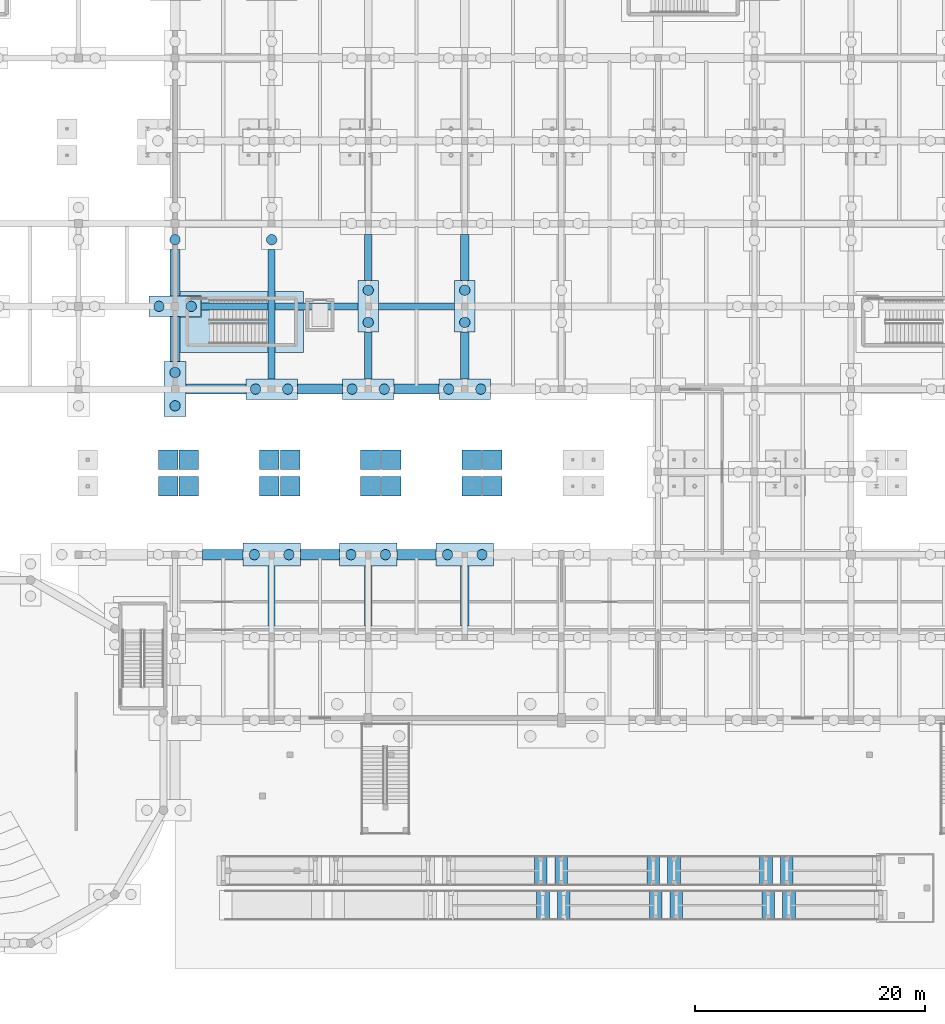
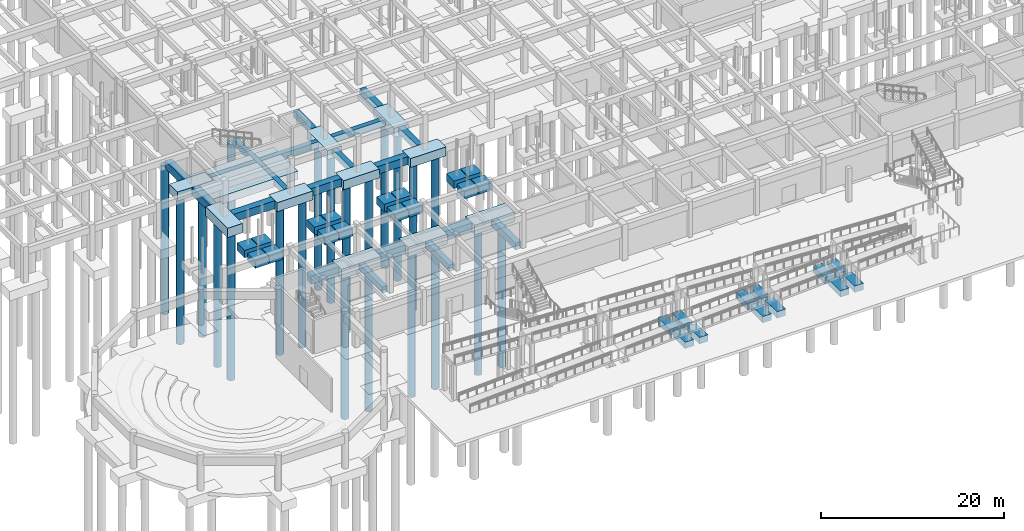
# One storey, part 2 of 80: 57 footings, 22 piles.
"""IFC4 building model written with IfcOpenShell, lengths in metres."""

from ifc_helpers import new_model, si_unit, direction, frame, origin, origin_2d, place, context, subcontext, project, spatial, polyline, rectangle, circle, outline, extrude, material, material_profile, profile_set, type_object, element, save


model = new_model("IFC4")

# Units and contexts
model_context = context("Model", 3, precision=1e-05, world=origin(), true_north=direction((0.0, 1.0)))
body_context = subcontext(model_context, "Body", "Model", "MODEL_VIEW")
ifc_project = project(units=[si_unit("LENGTHUNIT", "METRE"), si_unit("AREAUNIT", "SQUARE_METRE"), si_unit("VOLUMEUNIT", "CUBIC_METRE"), si_unit("PLANEANGLEUNIT", "RADIAN"), si_unit("MASSUNIT", "GRAM", prefix="KILO")], contexts=[model_context])

# Site, building, storey
site_placement = place(None, origin())
site = spatial("IfcSite", under=ifc_project, at=site_placement, CompositionType="ELEMENT")
building_placement = place(site_placement, origin())
building = spatial("IfcBuilding", under=site, at=building_placement, Name="Malvenik Polytechnic", CompositionType="ELEMENT")
storey_placement = place(building_placement, frame((0.0, 0.0, -4.800048828125)))
storey = spatial("IfcBuildingStorey", under=building, at=storey_placement, Name="B1", CompositionType="ELEMENT", Elevation=-4.800048828125)

# Footings
ifc_material = material(Name="Concrete C35/45", Category="concrete")
footing_type_1 = type_object("IfcFootingType", Name="STR-PC-1800x4500x1200", PredefinedType="PILE_CAP", material=ifc_material)
for number, where, z_axis, x_axis, name in (
    (1, (33.60009765625, 57.60009765625, -1.19970703125), (0.0, 0.0, 1.0), (1.0, 0.0, 0.0), "Pile Cap PC-01 #48"),
    (2, (42.0, 50.39990234375, -1.19970703125), (0.0, 0.0, 1.0), (1.0, 0.0, 0.0), "Pile Cap PC-01 #60"),
    (3, (50.39990234375, 50.39990234375, -1.19970703125), (0.0, 0.0, 1.0), (1.0, 0.0, 0.0), "Pile Cap PC-01 #72"),
    (4, (58.800048828125, 50.39990234375, -1.19970703125), (0.0, 0.0, 1.0), (1.0, 0.0, 0.0), "Pile Cap PC-01 #84"),
):
    element("IfcFooting", number, at=place(storey_placement, frame(where, z_axis=z_axis, x_axis=x_axis)), inside=storey, type_object=footing_type_1, Name=name, PredefinedType="PILE_CAP", context=body_context, shape_type="SweptSolid", body=[
        extrude(rectangle(XDim=4.5, YDim=1.800048828125, at=origin_2d()), origin(), (0.0, 0.0, 1.0), 1.199951171875),
    ])
footing_type_2 = type_object("IfcFootingType", Name="STR-PC-2000x5000x1300", PredefinedType="PILE_CAP", material=ifc_material)
for number, where, z_axis, x_axis, name in (
    (5, (42.0, 36.0, -1.2998046875), (0.0, 0.0, 1.0), (1.0, 0.0, 0.0), "Pile Cap PC-03 #59"),
    (6, (50.39990234375, 36.0, -1.2998046875), (0.0, 0.0, 1.0), (1.0, 0.0, 0.0), "Pile Cap PC-03 #71"),
    (7, (58.800048828125, 36.0, -1.2998046875), (0.0, 0.0, 1.0), (1.0, 0.0, 0.0), "Pile Cap PC-03 #83"),
):
    element("IfcFooting", number, at=place(storey_placement, frame(where, z_axis=z_axis, x_axis=x_axis)), inside=storey, type_object=footing_type_2, Name=name, PredefinedType="PILE_CAP", context=body_context, shape_type="SweptSolid", body=[
        extrude(rectangle(XDim=5.0, YDim=2.0, at=origin_2d()), origin(), (0.0, 0.0, 1.0), 1.300048828125),
    ])
footing_type_3 = type_object("IfcFootingType", Name="STR-PC-4500x1800x1200", PredefinedType="PILE_CAP", material=ifc_material)
for number, where, z_axis, x_axis, name in (
    (8, (50.39990234375, 57.60009765625, -1.19970703125), (0.0, 0.0, 1.0), (1.0, 0.0, 0.0), "Pile Cap PC-02 #73"),
    (9, (58.800048828125, 57.60009765625, -1.19970703125), (0.0, 0.0, 1.0), (1.0, 0.0, 0.0), "Pile Cap PC-02 #85"),
):
    element("IfcFooting", number, at=place(storey_placement, frame(where, z_axis=z_axis, x_axis=x_axis)), inside=storey, type_object=footing_type_3, Name=name, PredefinedType="PILE_CAP", context=body_context, shape_type="SweptSolid", body=[
        extrude(rectangle(XDim=1.800048828125, YDim=4.5, at=origin_2d()), origin(), (0.0, 0.0, 1.0), 1.199951171875),
    ])
footing_type_4 = type_object("IfcFootingType", Name="STR-PC-4800x1900x1250", PredefinedType="PILE_CAP", material=ifc_material)
footing_1_placement = place(storey_placement, frame((33.60009765625, 50.39990234375, -1.25), z_axis=(0.0, 0.0, 1.0), x_axis=(1.0, 0.0, 0.0)))
element("IfcFooting", 10, at=footing_1_placement, inside=storey, type_object=footing_type_4, Name="Pile Cap PC-14 #47", PredefinedType="PILE_CAP", context=body_context, shape_type="SweptSolid", body=[
    extrude(rectangle(XDim=1.89990234375, YDim=4.800048828125, at=origin_2d()), origin(), (0.0, 0.0, 1.0), 1.25),
])

# Piles
ifc_material_profile_1 = material_profile(ifc_material, circle(Radius=0.449951171875, at=origin_2d()), Name="BORED PILE D900")
ifc_profile_set_1 = profile_set([ifc_material_profile_1], Name="Concrete C35/45")
pile_type_1 = type_object("IfcPileType", Name="STR-PL-D900-195", PredefinedType="BORED", material=ifc_profile_set_1)
for number, where, z_axis, x_axis, name in (
    (11, (40.5, 36.0, -1.199951171875), (0.0, 0.0, -1.0), (1.0, 0.0, 0.0), "Bored Pile PL-01 #135"),
    (12, (43.5, 36.0, -1.199951171875), (0.0, 0.0, -1.0), (1.0, 0.0, 0.0), "Bored Pile PL-01 #136"),
    (13, (48.89990234375, 36.0, -1.199951171875), (0.0, 0.0, -1.0), (1.0, 0.0, 0.0), "Bored Pile PL-01 #165"),
    (14, (51.89990234375, 36.0, -1.199951171875), (0.0, 0.0, -1.0), (1.0, 0.0, 0.0), "Bored Pile PL-01 #166"),
    (15, (57.300048828125, 36.0, -1.199951171875), (0.0, 0.0, -1.0), (1.0, 0.0, 0.0), "Bored Pile PL-01 #193"),
    (16, (60.300048828125, 36.0, -1.199951171875), (0.0, 0.0, -1.0), (1.0, 0.0, 0.0), "Bored Pile PL-01 #194"),
):
    element("IfcPile", number, at=place(storey_placement, frame(where, z_axis=z_axis, x_axis=x_axis)), inside=storey, type_object=pile_type_1, Name=name, PredefinedType="BORED", context=body_context, shape_type="SweptSolid", body=[
        extrude(circle(Radius=0.449951171875, at=origin_2d()), origin(), (0.0, 0.0, 1.0), 19.5),
    ])
ifc_material_profile_2 = material_profile(ifc_material, circle(Radius=0.449951171875, at=origin_2d()), Name="BORED PILE D900")
ifc_profile_set_2 = profile_set([ifc_material_profile_2], Name="Concrete C35/45")
pile_type_2 = type_object("IfcPileType", Name="STR-PL-D900-198", PredefinedType="BORED", material=ifc_profile_set_2)
for number, where, z_axis, x_axis, name in (
    (17, (33.60009765625, 48.949951171875, -1.14990234375), (0.0, 0.0, -1.0), (1.0, 0.0, 0.0), "Bored Pile PL-02 #107"),
    (18, (33.60009765625, 51.85009765625, -1.14990234375), (0.0, 0.0, -1.0), (1.0, 0.0, 0.0), "Bored Pile PL-02 #108"),
    (19, (32.199951171875, 57.60009765625, -1.099853515625), (0.0, 0.0, -1.0), (1.0, 0.0, 0.0), "Bored Pile PL-02 #109"),
    (20, (35.0, 57.60009765625, -1.099853515625), (0.0, 0.0, -1.0), (1.0, 0.0, 0.0), "Bored Pile PL-02 #110"),
    (21, (33.60009765625, 63.39990234375, -1.099853515625), (0.0, 0.0, -1.0), (1.0, 0.0, 0.0), "Bored Pile PL-02 #111"),
    (22, (40.60009765625, 50.39990234375, -1.099853515625), (0.0, 0.0, -1.0), (1.0, 0.0, 0.0), "Bored Pile PL-02 #137"),
    (23, (43.39990234375, 50.39990234375, -1.099853515625), (0.0, 0.0, -1.0), (1.0, 0.0, 0.0), "Bored Pile PL-02 #138"),
    (24, (42.0, 63.39990234375, -1.099853515625), (0.0, 0.0, -1.0), (1.0, 0.0, 0.0), "Bored Pile PL-02 #139"),
    (25, (49.0, 50.39990234375, -1.099853515625), (0.0, 0.0, -1.0), (1.0, 0.0, 0.0), "Bored Pile PL-02 #167"),
    (26, (51.800048828125, 50.39990234375, -1.099853515625), (0.0, 0.0, -1.0), (1.0, 0.0, 0.0), "Bored Pile PL-02 #168"),
    (27, (50.39990234375, 56.199951171875, -1.099853515625), (0.0, 0.0, -1.0), (1.0, 0.0, 0.0), "Bored Pile PL-02 #169"),
    (28, (50.39990234375, 59.0, -1.099853515625), (0.0, 0.0, -1.0), (1.0, 0.0, 0.0), "Bored Pile PL-02 #170"),
    (29, (57.39990234375, 50.39990234375, -1.099853515625), (0.0, 0.0, -1.0), (1.0, 0.0, 0.0), "Bored Pile PL-02 #195"),
    (30, (60.199951171875, 50.39990234375, -1.099853515625), (0.0, 0.0, -1.0), (1.0, 0.0, 0.0), "Bored Pile PL-02 #196"),
    (31, (58.800048828125, 56.199951171875, -1.099853515625), (0.0, 0.0, -1.0), (1.0, 0.0, 0.0), "Bored Pile PL-02 #197"),
    (32, (58.800048828125, 59.0, -1.099853515625), (0.0, 0.0, -1.0), (1.0, 0.0, 0.0), "Bored Pile PL-02 #198"),
):
    element("IfcPile", number, at=place(storey_placement, frame(where, z_axis=z_axis, x_axis=x_axis)), inside=storey, type_object=pile_type_2, Name=name, PredefinedType="BORED", context=body_context, shape_type="SweptSolid", body=[
        extrude(circle(Radius=0.449951171875, at=origin_2d()), origin(), (0.0, 0.0, 1.0), 19.800048828125),
    ])

# Footings
footing_type_5 = type_object("IfcFootingType", Name="STR-SF-600x800", PredefinedType="STRIP_FOOTING", material=ifc_material)
footing_2_placement = place(storey_placement, frame((0.0, 0.0, -0.800048828125)))
element("IfcFooting", 33, at=footing_2_placement, inside=storey, type_object=footing_type_5, Name="Ground Tie Beam SF-01 #60", PredefinedType="STRIP_FOOTING", context=body_context, shape_type="SweptSolid", body=[
    extrude(outline(polyline([(35.85009765625, 57.300048828125), (49.5, 57.300048828125), (49.5, 57.89990234375), (35.85009765625, 57.89990234375), (35.85009765625, 57.300048828125)])), origin(), (0.0, 0.0, 1.0), 0.800048828125),
])
footing_3_placement = place(storey_placement, frame((0.0, 0.0, -0.800048828125)))
element("IfcFooting", 34, at=footing_3_placement, inside=storey, type_object=footing_type_5, Name="Ground Tie Beam SF-01 #61", PredefinedType="STRIP_FOOTING", context=body_context, shape_type="SweptSolid", body=[
    extrude(outline(polyline([(51.300048828125, 57.300048828125), (57.89990234375, 57.300048828125), (57.89990234375, 57.89990234375), (51.300048828125, 57.89990234375), (51.300048828125, 57.300048828125)])), origin(), (0.0, 0.0, 1.0), 0.800048828125),
])
footing_4_placement = place(storey_placement, frame((0.0, 0.0, -0.800048828125)))
element("IfcFooting", 35, at=footing_4_placement, inside=storey, type_object=footing_type_5, Name="Ground Tie Beam SF-01 #194", PredefinedType="STRIP_FOOTING", context=body_context, shape_type="SweptSolid", body=[
    extrude(outline(polyline([(41.699951171875, 29.800048828125), (42.300048828125, 29.800048828125), (42.300048828125, 35.0), (41.699951171875, 35.0), (41.699951171875, 29.800048828125)])), origin(), (0.0, 0.0, 1.0), 0.800048828125),
])
footing_5_placement = place(storey_placement, frame((0.0, 0.0, -0.800048828125)))
element("IfcFooting", 36, at=footing_5_placement, inside=storey, type_object=footing_type_5, Name="Ground Tie Beam SF-01 #195", PredefinedType="STRIP_FOOTING", context=body_context, shape_type="SweptSolid", body=[
    extrude(outline(polyline([(41.699951171875, 51.300048828125), (42.300048828125, 51.300048828125), (42.300048828125, 62.550048828125), (41.699951171875, 62.550048828125), (41.699951171875, 51.300048828125)])), origin(), (0.0, 0.0, 1.0), 0.800048828125),
])
footing_type_6 = type_object("IfcFootingType", Name="STR-SF-650x850", PredefinedType="STRIP_FOOTING", material=ifc_material)
footing_6_placement = place(storey_placement, frame((0.0, 0.0, -0.849853515625)))
element("IfcFooting", 37, at=footing_6_placement, inside=storey, type_object=footing_type_6, Name="Ground Tie Beam SF-02 #203", PredefinedType="STRIP_FOOTING", context=body_context, shape_type="SweptSolid", body=[
    extrude(outline(polyline([(50.074951171875, 29.800048828125), (50.72509765625, 29.800048828125), (50.72509765625, 35.0), (50.074951171875, 35.0), (50.074951171875, 29.800048828125)])), origin(), (0.0, 0.0, 1.0), 0.849853515625),
])
footing_7_placement = place(storey_placement, frame((0.0, 0.0, -0.849853515625)))
element("IfcFooting", 38, at=footing_7_placement, inside=storey, type_object=footing_type_6, Name="Ground Tie Beam SF-02 #204", PredefinedType="STRIP_FOOTING", context=body_context, shape_type="SweptSolid", body=[
    extrude(outline(polyline([(50.074951171875, 51.300048828125), (50.72509765625, 51.300048828125), (50.72509765625, 55.35009765625), (50.074951171875, 55.35009765625), (50.074951171875, 51.300048828125)])), origin(), (0.0, 0.0, 1.0), 0.849853515625),
])
footing_8_placement = place(storey_placement, frame((0.0, 0.0, -0.849853515625)))
element("IfcFooting", 39, at=footing_8_placement, inside=storey, type_object=footing_type_6, Name="Ground Tie Beam SF-02 #205", PredefinedType="STRIP_FOOTING", context=body_context, shape_type="SweptSolid", body=[
    extrude(outline(polyline([(50.074951171875, 59.85009765625), (50.72509765625, 59.85009765625), (50.72509765625, 63.85009765625), (50.074951171875, 63.85009765625), (50.074951171875, 59.85009765625)])), origin(), (0.0, 0.0, 1.0), 0.849853515625),
])
footing_type_7 = type_object("IfcFootingType", Name="STR-SF-700x900", PredefinedType="STRIP_FOOTING", material=ifc_material)
footing_9_placement = place(storey_placement, frame((0.0, 0.0, -0.89990234375)))
element("IfcFooting", 40, at=footing_9_placement, inside=storey, type_object=footing_type_7, Name="Ground Tie Beam SF-03 #212", PredefinedType="STRIP_FOOTING", context=body_context, shape_type="SweptSolid", body=[
    extrude(outline(polyline([(58.449951171875, 29.800048828125), (59.14990234375, 29.800048828125), (59.14990234375, 35.0), (58.449951171875, 35.0), (58.449951171875, 29.800048828125)])), origin(), (0.0, 0.0, 1.0), 0.89990234375),
])
footing_10_placement = place(storey_placement, frame((0.0, 0.0, -0.89990234375)))
element("IfcFooting", 41, at=footing_10_placement, inside=storey, type_object=footing_type_7, Name="Ground Tie Beam SF-03 #213", PredefinedType="STRIP_FOOTING", context=body_context, shape_type="SweptSolid", body=[
    extrude(outline(polyline([(58.449951171875, 51.300048828125), (59.14990234375, 51.300048828125), (59.14990234375, 55.35009765625), (58.449951171875, 55.35009765625), (58.449951171875, 51.300048828125)])), origin(), (0.0, 0.0, 1.0), 0.89990234375),
])
footing_11_placement = place(storey_placement, frame((0.0, 0.0, -0.89990234375)))
element("IfcFooting", 42, at=footing_11_placement, inside=storey, type_object=footing_type_7, Name="Ground Tie Beam SF-03 #214", PredefinedType="STRIP_FOOTING", context=body_context, shape_type="SweptSolid", body=[
    extrude(outline(polyline([(58.449951171875, 59.85009765625), (59.14990234375, 59.85009765625), (59.14990234375, 63.85009765625), (58.449951171875, 63.85009765625), (58.449951171875, 59.85009765625)])), origin(), (0.0, 0.0, 1.0), 0.89990234375),
])
footing_type_8 = type_object("IfcFootingType", Name="STR-SF-800x1000", PredefinedType="STRIP_FOOTING", material=ifc_material)
footing_12_placement = place(storey_placement, frame((0.0, 0.0, -1.0)))
element("IfcFooting", 43, at=footing_12_placement, inside=storey, type_object=footing_type_8, Name="Bridge-Ramp Pier Footing #3.1", PredefinedType="STRIP_FOOTING", context=body_context, shape_type="SweptSolid", body=[
    extrude(outline(polyline([(32.14990234375, 41.10009765625), (32.14990234375, 42.800048828125), (33.85009765625, 42.800048828125), (33.85009765625, 41.10009765625), (32.14990234375, 41.10009765625)])), origin(), (0.0, 0.0, 1.0), 1.0),
])
footing_13_placement = place(storey_placement, frame((0.0, 0.0, -1.0)))
element("IfcFooting", 44, at=footing_13_placement, inside=storey, type_object=footing_type_8, Name="Bridge-Ramp Pier Footing #4.1", PredefinedType="STRIP_FOOTING", context=body_context, shape_type="SweptSolid", body=[
    extrude(outline(polyline([(32.14990234375, 43.39990234375), (32.14990234375, 45.10009765625), (33.85009765625, 45.10009765625), (33.85009765625, 43.39990234375), (32.14990234375, 43.39990234375)])), origin(), (0.0, 0.0, 1.0), 1.0),
])
footing_14_placement = place(storey_placement, frame((0.0, 0.0, -1.0)))
element("IfcFooting", 45, at=footing_14_placement, inside=storey, type_object=footing_type_8, Name="Bridge-Ramp Pier Footing #5.1", PredefinedType="STRIP_FOOTING", context=body_context, shape_type="SweptSolid", body=[
    extrude(outline(polyline([(33.949951171875, 41.10009765625), (33.949951171875, 42.800048828125), (35.64990234375, 42.800048828125), (35.64990234375, 41.10009765625), (33.949951171875, 41.10009765625)])), origin(), (0.0, 0.0, 1.0), 1.0),
])
footing_15_placement = place(storey_placement, frame((0.0, 0.0, -1.0)))
element("IfcFooting", 46, at=footing_15_placement, inside=storey, type_object=footing_type_8, Name="Bridge-Ramp Pier Footing #6.1", PredefinedType="STRIP_FOOTING", context=body_context, shape_type="SweptSolid", body=[
    extrude(outline(polyline([(33.949951171875, 43.39990234375), (33.949951171875, 45.10009765625), (35.64990234375, 45.10009765625), (35.64990234375, 43.39990234375), (33.949951171875, 43.39990234375)])), origin(), (0.0, 0.0, 1.0), 1.0),
])
footing_16_placement = place(storey_placement, frame((0.0, 0.0, -1.0)))
element("IfcFooting", 47, at=footing_16_placement, inside=storey, type_object=footing_type_8, Name="Bridge-Ramp Pier Footing #7.1", PredefinedType="STRIP_FOOTING", context=body_context, shape_type="SweptSolid", body=[
    extrude(outline(polyline([(40.949951171875, 41.10009765625), (40.949951171875, 42.800048828125), (42.64990234375, 42.800048828125), (42.64990234375, 41.10009765625), (40.949951171875, 41.10009765625)])), origin(), (0.0, 0.0, 1.0), 1.0),
])
footing_17_placement = place(storey_placement, frame((0.0, 0.0, -1.0)))
element("IfcFooting", 48, at=footing_17_placement, inside=storey, type_object=footing_type_8, Name="Bridge-Ramp Pier Footing #8.1", PredefinedType="STRIP_FOOTING", context=body_context, shape_type="SweptSolid", body=[
    extrude(outline(polyline([(40.949951171875, 43.39990234375), (40.949951171875, 45.10009765625), (42.64990234375, 45.10009765625), (42.64990234375, 43.39990234375), (40.949951171875, 43.39990234375)])), origin(), (0.0, 0.0, 1.0), 1.0),
])
footing_18_placement = place(storey_placement, frame((0.0, 0.0, -1.0)))
element("IfcFooting", 49, at=footing_18_placement, inside=storey, type_object=footing_type_8, Name="Bridge-Ramp Pier Footing #9.1", PredefinedType="STRIP_FOOTING", context=body_context, shape_type="SweptSolid", body=[
    extrude(outline(polyline([(42.75, 41.10009765625), (42.75, 42.800048828125), (44.449951171875, 42.800048828125), (44.449951171875, 41.10009765625), (42.75, 41.10009765625)])), origin(), (0.0, 0.0, 1.0), 1.0),
])
footing_19_placement = place(storey_placement, frame((0.0, 0.0, -1.0)))
element("IfcFooting", 50, at=footing_19_placement, inside=storey, type_object=footing_type_8, Name="Bridge-Ramp Pier Footing #10.1", PredefinedType="STRIP_FOOTING", context=body_context, shape_type="SweptSolid", body=[
    extrude(outline(polyline([(42.75, 43.39990234375), (42.75, 45.10009765625), (44.449951171875, 45.10009765625), (44.449951171875, 43.39990234375), (42.75, 43.39990234375)])), origin(), (0.0, 0.0, 1.0), 1.0),
])
footing_20_placement = place(storey_placement, frame((0.0, 0.0, -1.0)))
element("IfcFooting", 51, at=footing_20_placement, inside=storey, type_object=footing_type_8, Name="Bridge-Ramp Pier Footing #11.1", PredefinedType="STRIP_FOOTING", context=body_context, shape_type="SweptSolid", body=[
    extrude(outline(polyline([(49.75, 41.10009765625), (49.75, 42.800048828125), (51.449951171875, 42.800048828125), (51.449951171875, 41.10009765625), (49.75, 41.10009765625)])), origin(), (0.0, 0.0, 1.0), 1.0),
])
footing_21_placement = place(storey_placement, frame((0.0, 0.0, -1.0)))
element("IfcFooting", 52, at=footing_21_placement, inside=storey, type_object=footing_type_8, Name="Bridge-Ramp Pier Footing #12.1", PredefinedType="STRIP_FOOTING", context=body_context, shape_type="SweptSolid", body=[
    extrude(outline(polyline([(49.75, 43.39990234375), (49.75, 45.10009765625), (51.449951171875, 45.10009765625), (51.449951171875, 43.39990234375), (49.75, 43.39990234375)])), origin(), (0.0, 0.0, 1.0), 1.0),
])
footing_22_placement = place(storey_placement, frame((0.0, 0.0, -1.0)))
element("IfcFooting", 53, at=footing_22_placement, inside=storey, type_object=footing_type_8, Name="Bridge-Ramp Pier Footing #13.1", PredefinedType="STRIP_FOOTING", context=body_context, shape_type="SweptSolid", body=[
    extrude(outline(polyline([(51.550048828125, 41.10009765625), (51.550048828125, 42.800048828125), (53.25, 42.800048828125), (53.25, 41.10009765625), (51.550048828125, 41.10009765625)])), origin(), (0.0, 0.0, 1.0), 1.0),
])
footing_23_placement = place(storey_placement, frame((0.0, 0.0, -1.0)))
element("IfcFooting", 54, at=footing_23_placement, inside=storey, type_object=footing_type_8, Name="Bridge-Ramp Pier Footing #14.1", PredefinedType="STRIP_FOOTING", context=body_context, shape_type="SweptSolid", body=[
    extrude(outline(polyline([(51.550048828125, 43.39990234375), (51.550048828125, 45.10009765625), (53.25, 45.10009765625), (53.25, 43.39990234375), (51.550048828125, 43.39990234375)])), origin(), (0.0, 0.0, 1.0), 1.0),
])
footing_24_placement = place(storey_placement, frame((0.0, 0.0, -1.0)))
element("IfcFooting", 55, at=footing_24_placement, inside=storey, type_object=footing_type_8, Name="Bridge-Ramp Pier Footing #15.1", PredefinedType="STRIP_FOOTING", context=body_context, shape_type="SweptSolid", body=[
    extrude(outline(polyline([(58.550048828125, 41.10009765625), (58.550048828125, 42.800048828125), (60.25, 42.800048828125), (60.25, 41.10009765625), (58.550048828125, 41.10009765625)])), origin(), (0.0, 0.0, 1.0), 1.0),
])
footing_25_placement = place(storey_placement, frame((0.0, 0.0, -1.0)))
element("IfcFooting", 56, at=footing_25_placement, inside=storey, type_object=footing_type_8, Name="Bridge-Ramp Pier Footing #16.1", PredefinedType="STRIP_FOOTING", context=body_context, shape_type="SweptSolid", body=[
    extrude(outline(polyline([(58.550048828125, 43.39990234375), (58.550048828125, 45.10009765625), (60.25, 45.10009765625), (60.25, 43.39990234375), (58.550048828125, 43.39990234375)])), origin(), (0.0, 0.0, 1.0), 1.0),
])
footing_26_placement = place(storey_placement, frame((0.0, 0.0, -1.0)))
element("IfcFooting", 57, at=footing_26_placement, inside=storey, type_object=footing_type_8, Name="Bridge-Ramp Pier Footing #17.1", PredefinedType="STRIP_FOOTING", context=body_context, shape_type="SweptSolid", body=[
    extrude(outline(polyline([(60.35009765625, 41.10009765625), (60.35009765625, 42.800048828125), (62.050048828125, 42.800048828125), (62.050048828125, 41.10009765625), (60.35009765625, 41.10009765625)])), origin(), (0.0, 0.0, 1.0), 1.0),
])
footing_27_placement = place(storey_placement, frame((0.0, 0.0, -1.0)))
element("IfcFooting", 58, at=footing_27_placement, inside=storey, type_object=footing_type_8, Name="Bridge-Ramp Pier Footing #18.1", PredefinedType="STRIP_FOOTING", context=body_context, shape_type="SweptSolid", body=[
    extrude(outline(polyline([(60.35009765625, 43.39990234375), (60.35009765625, 45.10009765625), (62.050048828125, 45.10009765625), (62.050048828125, 43.39990234375), (60.35009765625, 43.39990234375)])), origin(), (0.0, 0.0, 1.0), 1.0),
])
footing_28_placement = place(storey_placement, frame((0.0, 0.0, -0.849853515625)))
element("IfcFooting", 59, at=footing_28_placement, inside=storey, type_object=footing_type_8, Name="Forecourt Ramp Pier Footing RB-04-5", PredefinedType="STRIP_FOOTING", context=body_context, shape_type="SweptSolid", body=[
    extrude(outline(polyline([(65.050048828125, 4.199951171875), (65.050048828125, 6.800048828125), (66.14990234375, 6.800048828125), (66.14990234375, 4.199951171875), (65.050048828125, 4.199951171875)])), origin(), (0.0, 0.0, 1.0), 0.849853515625),
])
footing_29_placement = place(storey_placement, frame((0.0, 0.0, -0.849853515625)))
element("IfcFooting", 60, at=footing_29_placement, inside=storey, type_object=footing_type_8, Name="Forecourt Ramp Pier Footing RB-04-6", PredefinedType="STRIP_FOOTING", context=body_context, shape_type="SweptSolid", body=[
    extrude(outline(polyline([(66.85009765625, 4.199951171875), (66.85009765625, 6.800048828125), (67.949951171875, 6.800048828125), (67.949951171875, 4.199951171875), (66.85009765625, 4.199951171875)])), origin(), (0.0, 0.0, 1.0), 0.849853515625),
])
footing_30_placement = place(storey_placement, frame((0.0, 0.0, -0.849853515625)))
element("IfcFooting", 61, at=footing_30_placement, inside=storey, type_object=footing_type_8, Name="Forecourt Ramp Pier Footing RB-04-7", PredefinedType="STRIP_FOOTING", context=body_context, shape_type="SweptSolid", body=[
    extrude(outline(polyline([(74.85009765625, 4.199951171875), (74.85009765625, 6.800048828125), (75.949951171875, 6.800048828125), (75.949951171875, 4.199951171875), (74.85009765625, 4.199951171875)])), origin(), (0.0, 0.0, 1.0), 0.849853515625),
])
footing_31_placement = place(storey_placement, frame((0.0, 0.0, -0.849853515625)))
element("IfcFooting", 62, at=footing_31_placement, inside=storey, type_object=footing_type_8, Name="Forecourt Ramp Pier Footing RB-04-8", PredefinedType="STRIP_FOOTING", context=body_context, shape_type="SweptSolid", body=[
    extrude(outline(polyline([(76.64990234375, 4.199951171875), (76.64990234375, 6.800048828125), (77.75, 6.800048828125), (77.75, 4.199951171875), (76.64990234375, 4.199951171875)])), origin(), (0.0, 0.0, 1.0), 0.849853515625),
])
footing_32_placement = place(storey_placement, frame((0.0, 0.0, -0.849853515625)))
element("IfcFooting", 63, at=footing_32_placement, inside=storey, type_object=footing_type_8, Name="Forecourt Ramp Pier Footing RB-04-9", PredefinedType="STRIP_FOOTING", context=body_context, shape_type="SweptSolid", body=[
    extrude(outline(polyline([(84.64990234375, 4.199951171875), (84.64990234375, 6.800048828125), (85.75, 6.800048828125), (85.75, 4.199951171875), (84.64990234375, 4.199951171875)])), origin(), (0.0, 0.0, 1.0), 0.849853515625),
])
footing_33_placement = place(storey_placement, frame((0.0, 0.0, -0.849853515625)))
element("IfcFooting", 64, at=footing_33_placement, inside=storey, type_object=footing_type_8, Name="Forecourt Ramp Pier Footing RB-04-10", PredefinedType="STRIP_FOOTING", context=body_context, shape_type="SweptSolid", body=[
    extrude(outline(polyline([(86.449951171875, 4.199951171875), (86.449951171875, 6.800048828125), (87.550048828125, 6.800048828125), (87.550048828125, 4.199951171875), (86.449951171875, 4.199951171875)])), origin(), (0.0, 0.0, 1.0), 0.849853515625),
])
footing_34_placement = place(storey_placement, frame((0.0, 0.0, -0.849853515625)))
element("IfcFooting", 65, at=footing_34_placement, inside=storey, type_object=footing_type_8, Name="Forecourt Ramp Pier Footing RB-05-1", PredefinedType="STRIP_FOOTING", context=body_context, shape_type="SweptSolid", body=[
    extrude(outline(polyline([(86.25, 7.199951171875), (86.25, 9.800048828125), (87.35009765625, 9.800048828125), (87.35009765625, 7.199951171875), (86.25, 7.199951171875)])), origin(), (0.0, 0.0, 1.0), 0.849853515625),
])
footing_35_placement = place(storey_placement, frame((0.0, 0.0, -0.849853515625)))
element("IfcFooting", 66, at=footing_35_placement, inside=storey, type_object=footing_type_8, Name="Forecourt Ramp Pier Footing RB-05-2", PredefinedType="STRIP_FOOTING", context=body_context, shape_type="SweptSolid", body=[
    extrude(outline(polyline([(84.449951171875, 7.199951171875), (84.449951171875, 9.800048828125), (85.550048828125, 9.800048828125), (85.550048828125, 7.199951171875), (84.449951171875, 7.199951171875)])), origin(), (0.0, 0.0, 1.0), 0.849853515625),
])
footing_36_placement = place(storey_placement, frame((0.0, 0.0, -0.849853515625)))
element("IfcFooting", 67, at=footing_36_placement, inside=storey, type_object=footing_type_8, Name="Forecourt Ramp Pier Footing RB-05-3", PredefinedType="STRIP_FOOTING", context=body_context, shape_type="SweptSolid", body=[
    extrude(outline(polyline([(76.449951171875, 7.199951171875), (76.449951171875, 9.800048828125), (77.550048828125, 9.800048828125), (77.550048828125, 7.199951171875), (76.449951171875, 7.199951171875)])), origin(), (0.0, 0.0, 1.0), 0.849853515625),
])
footing_37_placement = place(storey_placement, frame((0.0, 0.0, -0.849853515625)))
element("IfcFooting", 68, at=footing_37_placement, inside=storey, type_object=footing_type_8, Name="Forecourt Ramp Pier Footing RB-05-4", PredefinedType="STRIP_FOOTING", context=body_context, shape_type="SweptSolid", body=[
    extrude(outline(polyline([(74.64990234375, 7.199951171875), (74.64990234375, 9.800048828125), (75.75, 9.800048828125), (75.75, 7.199951171875), (74.64990234375, 7.199951171875)])), origin(), (0.0, 0.0, 1.0), 0.849853515625),
])
footing_38_placement = place(storey_placement, frame((0.0, 0.0, -0.849853515625)))
element("IfcFooting", 69, at=footing_38_placement, inside=storey, type_object=footing_type_8, Name="Forecourt Ramp Pier Footing RB-05-5", PredefinedType="STRIP_FOOTING", context=body_context, shape_type="SweptSolid", body=[
    extrude(outline(polyline([(66.64990234375, 7.199951171875), (66.64990234375, 9.800048828125), (67.75, 9.800048828125), (67.75, 7.199951171875), (66.64990234375, 7.199951171875)])), origin(), (0.0, 0.0, 1.0), 0.849853515625),
])
footing_39_placement = place(storey_placement, frame((0.0, 0.0, -0.849853515625)))
element("IfcFooting", 70, at=footing_39_placement, inside=storey, type_object=footing_type_8, Name="Forecourt Ramp Pier Footing RB-05-6", PredefinedType="STRIP_FOOTING", context=body_context, shape_type="SweptSolid", body=[
    extrude(outline(polyline([(64.85009765625, 7.199951171875), (64.85009765625, 9.800048828125), (65.949951171875, 9.800048828125), (65.949951171875, 7.199951171875), (64.85009765625, 7.199951171875)])), origin(), (0.0, 0.0, 1.0), 0.849853515625),
])
footing_type_9 = type_object("IfcFootingType", Name="STR-SF-850x1050", PredefinedType="STRIP_FOOTING", material=ifc_material)
footing_40_placement = place(storey_placement, frame((0.0, 0.0, -1.050048828125)))
element("IfcFooting", 71, at=footing_40_placement, inside=storey, type_object=footing_type_9, Name="Ground Tie Beam SF-08 #48", PredefinedType="STRIP_FOOTING", context=body_context, shape_type="SweptSolid", body=[
    extrude(outline(polyline([(34.550048828125, 49.97509765625), (39.75, 49.97509765625), (39.75, 50.824951171875), (34.550048828125, 50.824951171875), (34.550048828125, 49.97509765625)])), origin(), (0.0, 0.0, 1.0), 1.050048828125),
])
footing_41_placement = place(storey_placement, frame((0.0, 0.0, -1.050048828125)))
element("IfcFooting", 72, at=footing_41_placement, inside=storey, type_object=footing_type_9, Name="Ground Tie Beam SF-08 #49", PredefinedType="STRIP_FOOTING", context=body_context, shape_type="SweptSolid", body=[
    extrude(outline(polyline([(44.25, 49.97509765625), (48.14990234375, 49.97509765625), (48.14990234375, 50.824951171875), (44.25, 50.824951171875), (44.25, 49.97509765625)])), origin(), (0.0, 0.0, 1.0), 1.050048828125),
])
footing_42_placement = place(storey_placement, frame((0.0, 0.0, -1.050048828125)))
element("IfcFooting", 73, at=footing_42_placement, inside=storey, type_object=footing_type_9, Name="Ground Tie Beam SF-08 #50", PredefinedType="STRIP_FOOTING", context=body_context, shape_type="SweptSolid", body=[
    extrude(outline(polyline([(52.64990234375, 49.97509765625), (56.550048828125, 49.97509765625), (56.550048828125, 50.824951171875), (52.64990234375, 50.824951171875), (52.64990234375, 49.97509765625)])), origin(), (0.0, 0.0, 1.0), 1.050048828125),
])
footing_43_placement = place(storey_placement, frame((0.0, 0.0, -1.050048828125)))
element("IfcFooting", 74, at=footing_43_placement, inside=storey, type_object=footing_type_9, Name="Ground Tie Beam SF-08 #185", PredefinedType="STRIP_FOOTING", context=body_context, shape_type="SweptSolid", body=[
    extrude(outline(polyline([(33.175048828125, 52.800048828125), (34.02490234375, 52.800048828125), (34.02490234375, 56.699951171875), (33.175048828125, 56.699951171875), (33.175048828125, 52.800048828125)])), origin(), (0.0, 0.0, 1.0), 1.050048828125),
])
footing_44_placement = place(storey_placement, frame((0.0, 0.0, -1.050048828125)))
element("IfcFooting", 75, at=footing_44_placement, inside=storey, type_object=footing_type_9, Name="Ground Tie Beam SF-08 #186", PredefinedType="STRIP_FOOTING", context=body_context, shape_type="SweptSolid", body=[
    extrude(outline(polyline([(33.175048828125, 58.5), (34.02490234375, 58.5), (34.02490234375, 62.550048828125), (33.175048828125, 62.550048828125), (33.175048828125, 58.5)])), origin(), (0.0, 0.0, 1.0), 1.050048828125),
])
footing_type_10 = type_object("IfcFootingType", Name="STR-SF-900x1100", PredefinedType="STRIP_FOOTING", material=ifc_material)
footing_45_placement = place(storey_placement, frame((0.0, 0.0, -1.099853515625)))
element("IfcFooting", 76, at=footing_45_placement, inside=storey, type_object=footing_type_10, Name="Ground Tie Beam SF-06 #31", PredefinedType="STRIP_FOOTING", context=body_context, shape_type="SweptSolid", body=[
    extrude(outline(polyline([(36.0, 35.550048828125), (39.5, 35.550048828125), (39.5, 36.449951171875), (36.0, 36.449951171875), (36.0, 35.550048828125)])), origin(), (0.0, 0.0, 1.0), 1.099853515625),
])
footing_46_placement = place(storey_placement, frame((0.0, 0.0, -1.099853515625)))
element("IfcFooting", 77, at=footing_46_placement, inside=storey, type_object=footing_type_10, Name="Ground Tie Beam SF-06 #32", PredefinedType="STRIP_FOOTING", context=body_context, shape_type="SweptSolid", body=[
    extrude(outline(polyline([(44.5, 35.550048828125), (47.89990234375, 35.550048828125), (47.89990234375, 36.449951171875), (44.5, 36.449951171875), (44.5, 35.550048828125)])), origin(), (0.0, 0.0, 1.0), 1.099853515625),
])
footing_47_placement = place(storey_placement, frame((0.0, 0.0, -1.099853515625)))
element("IfcFooting", 78, at=footing_47_placement, inside=storey, type_object=footing_type_10, Name="Ground Tie Beam SF-06 #33", PredefinedType="STRIP_FOOTING", context=body_context, shape_type="SweptSolid", body=[
    extrude(outline(polyline([(52.89990234375, 35.550048828125), (56.300048828125, 35.550048828125), (56.300048828125, 36.449951171875), (52.89990234375, 36.449951171875), (52.89990234375, 35.550048828125)])), origin(), (0.0, 0.0, 1.0), 1.099853515625),
])
footing_48_placement = place(storey_placement, frame((0.0, 0.0, -1.099853515625)))
element("IfcFooting", 79, at=footing_48_placement, inside=storey, type_object=footing_type_10, Name="Core Wall Strip Footing #327", PredefinedType="STRIP_FOOTING", context=body_context, shape_type="SweptSolid", body=[
    extrude(outline(polyline([(34.050048828125, 58.89990234375), (44.75, 58.89990234375), (44.75, 53.60009765625), (34.050048828125, 53.60009765625), (34.050048828125, 56.669921875), (35.85009765625, 56.669921875), (35.852783203125, 56.670166015625), (35.85595703125, 56.670654296875), (35.858642578125, 56.67138671875), (35.861572265625, 56.67236328125), (35.864013671875, 56.673583984375), (35.86669921875, 56.675048828125), (35.868896484375, 56.6767578125), (35.87109375, 56.6787109375), (35.873291015625, 56.680908203125), (35.875, 56.683349609375), (35.87646484375, 56.685791015625), (35.877685546875, 56.6884765625), (35.878662109375, 56.69140625), (35.87939453125, 56.694091796875), (35.8798828125, 56.697021484375), (35.8798828125, 56.699951171875), (35.8798828125, 58.5), (35.8798828125, 58.5029296875), (35.87939453125, 58.505859375), (35.878662109375, 58.5087890625), (35.877685546875, 58.511474609375), (35.87646484375, 58.51416015625), (35.875, 58.5166015625), (35.873291015625, 58.51904296875), (35.87109375, 58.521240234375), (35.868896484375, 58.523193359375), (35.86669921875, 58.52490234375), (35.864013671875, 58.526611328125), (35.861572265625, 58.527587890625), (35.858642578125, 58.52880859375), (35.85595703125, 58.529296875), (35.852783203125, 58.52978515625), (35.85009765625, 58.530029296875), (34.050048828125, 58.530029296875), (34.050048828125, 58.89990234375)])), origin(), (0.0, 0.0, 1.0), 1.099853515625),
])

save(model, "model.ifc")
